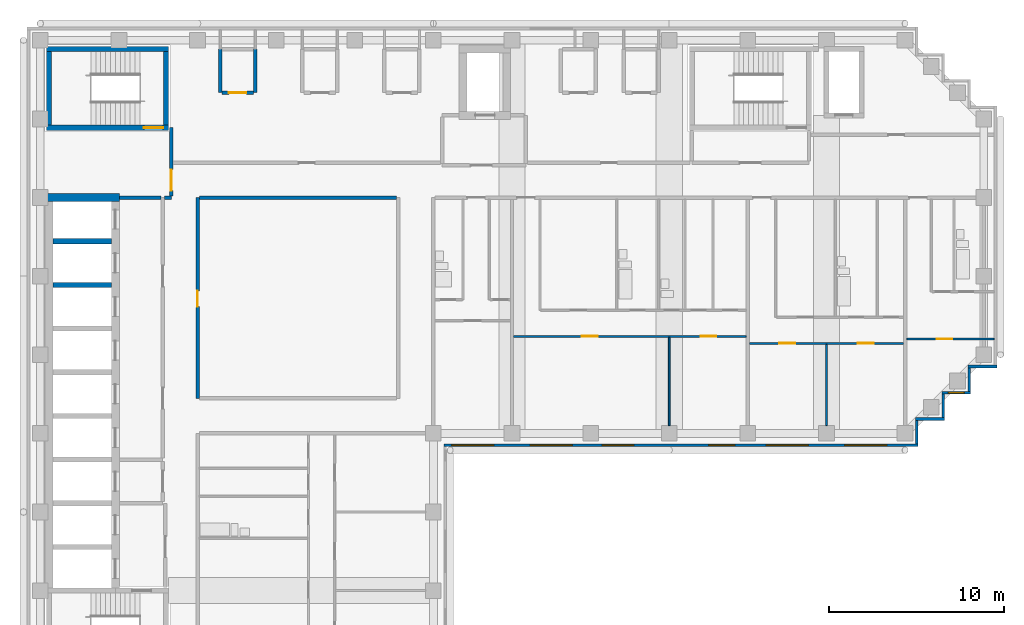
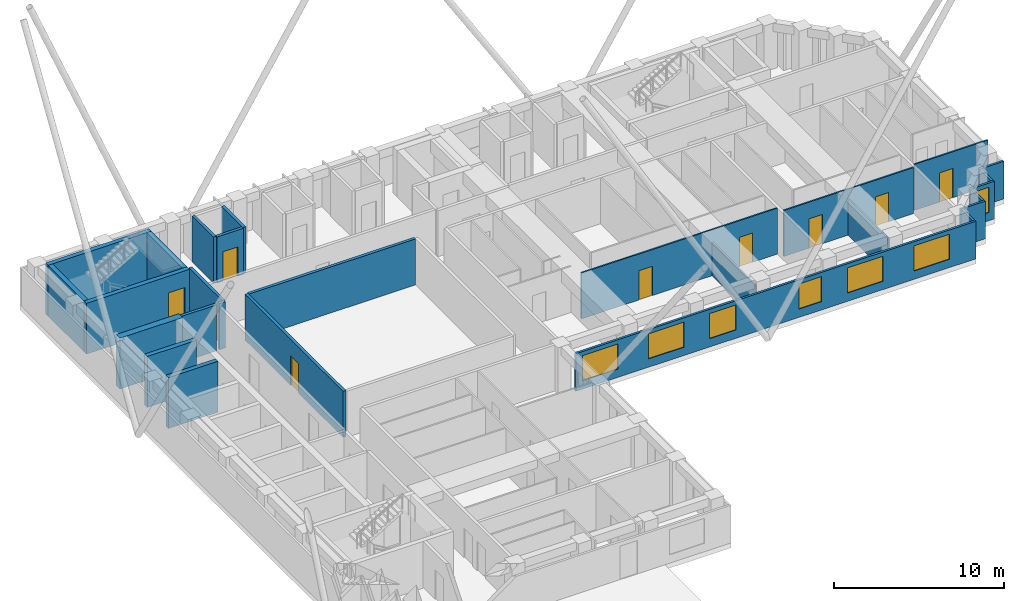
# One storey, part 4 of 9: 27 walls, 9 doors, 7 windows, 16 openings.
"""IFC4 building model written with IfcOpenShell, lengths in metres."""

from ifc_helpers import new_model, si_unit, direction, frame, frame_2d, origin, place, context, subcontext, project, spatial, rectangle, extrude, material, layer, layer_set, type_object, element, fill, save


model = new_model("IFC4")

# Units and contexts
model_context = context("Model", 3, precision=1e-05, world=origin(), true_north=direction((0.0, 1.0)))
body_context = subcontext(model_context, "Body", "Model", "MODEL_VIEW")
ifc_project = project(units=[si_unit("LENGTHUNIT", "METRE"), si_unit("AREAUNIT", "SQUARE_METRE"), si_unit("VOLUMEUNIT", "CUBIC_METRE"), si_unit("PLANEANGLEUNIT", "RADIAN"), si_unit("MASSUNIT", "GRAM", prefix="KILO")], contexts=[model_context])

# Site, building, storey
site_placement = place(None, origin())
site = spatial("IfcSite", under=ifc_project, at=site_placement, CompositionType="ELEMENT")
building_placement = place(site_placement, origin())
building = spatial("IfcBuilding", under=site, at=building_placement, Name="Firuza Court", CompositionType="ELEMENT")
storey_placement = place(building_placement, frame((0.0, 0.0, 211.39990234375)))
storey = spatial("IfcBuildingStorey", under=building, at=storey_placement, Name="L54", CompositionType="ELEMENT", Elevation=211.39990234375)

# Wall, opening, door
ifc_material_1 = material(Name="Concrete C50/60", Category="concrete")
ifc_layer_1 = layer(ifc_material_1, 0.300048828125)
ifc_layer_set_1 = layer_set([ifc_layer_1], Name="Concrete C50/60")
wall_type_1 = type_object("IfcWallType", Name="Core wall 300 C50/60", PredefinedType="SHEAR", material=ifc_layer_set_1)
wall_1_placement = place(storey_placement, frame((0.35009765625, 53.5, -0.349853515625), z_axis=(0.0, 0.0, 1.0), x_axis=(1.0, 0.0, 0.0)))
wall_1 = element("IfcWall", 1, at=wall_1_placement, inside=storey, type_object=wall_type_1, Name="Core wall stair L54", PredefinedType="SHEAR", context=body_context, shape_type="SweptSolid", body=[
    extrude(rectangle(XDim=7.0, YDim=0.300048828125, at=frame_2d((3.5, 0.0))), origin(), (0.0, 0.0, 1.0), 3.64990234375),
])
opening_1_placement = place(wall_1_placement, frame((5.580078125, 0.0, 0.35009765625)))
opening_1 = element("IfcOpeningElement", 2, at=opening_1_placement, cuts=wall_1, Name="Opening D54012", PredefinedType="OPENING", context=body_context, shape_type="SweptSolid", body=[
    extrude(rectangle(XDim=1.10009765625, YDim=2.10009765625, at=frame_2d((0.550048828125, 1.050048828125))), frame((0.0, 0.162109375, 0.0), z_axis=(0.0, -1.0, 0.0), x_axis=(1.0, 0.0, 0.0)), (0.0, 0.0, 1.0), 0.323974609375),
])
ifc_material_2 = material(Name="Timber door leaf in hardwood frame", Category="wood")
door_type_1 = type_object("IfcDoorType", Name="Stair door 1100", OperationType="SINGLE_SWING_LEFT", PredefinedType="DOOR", material=ifc_material_2)
door_1_placement = place(opening_1_placement, origin())
door_1 = element("IfcDoor", 3, at=door_1_placement, inside=storey, type_object=door_type_1, Name="Stair door S3", OperationType="SINGLE_SWING_RIGHT", OverallHeight=2.10009765625, OverallWidth=1.10009765625, PredefinedType="DOOR", context=body_context, shape_type="SweptSolid", body=[
    extrude(rectangle(XDim=1.10009765625, YDim=2.10009765625, at=frame_2d((0.550048828125, 1.050048828125))), frame((0.0, 0.02490234375, 0.0), z_axis=(0.0, -1.0, 0.0), x_axis=(1.0, 0.0, 0.0)), (0.0, 0.0, 1.0), 0.050048828125),
])
fill(opening_1, door_1)

# Walls
wall_2_placement = place(storey_placement, frame((0.35009765625, 58.0, -0.349853515625), z_axis=(0.0, 0.0, 1.0), x_axis=(1.0, 0.0, 0.0)))
element("IfcWall", 4, at=wall_2_placement, inside=storey, type_object=wall_type_1, Name="Core wall stair L54", PredefinedType="SHEAR", context=body_context, shape_type="SweptSolid", body=[
    extrude(rectangle(XDim=7.0, YDim=0.300048828125, at=frame_2d((3.5, 0.0))), origin(), (0.0, 0.0, 1.0), 3.64990234375),
])
wall_3_placement = place(storey_placement, frame((0.5, 53.64990234375, -0.349853515625), z_axis=(0.0, 0.0, 1.0), x_axis=(0.0, 1.0, 0.0)))
element("IfcWall", 5, at=wall_3_placement, inside=storey, type_object=wall_type_1, Name="Core wall stair L54", PredefinedType="SHEAR", context=body_context, shape_type="SweptSolid", body=[
    extrude(rectangle(XDim=4.2001953125, YDim=0.300048828125, at=frame_2d((2.10009765625, 0.0))), origin(), (0.0, 0.0, 1.0), 3.64990234375),
])
for number, where, z_axis, x_axis, name in (
    (6, (0.72509765625, 44.5, -0.349853515625), (0.0, 0.0, 1.0), (1.0, 0.0, 0.0), "Core wall lift shaft L54"),
    (7, (0.72509765625, 47.0, -0.349853515625), (0.0, 0.0, 1.0), (1.0, 0.0, 0.0), "Core wall lift shaft L54"),
):
    element("IfcWall", number, at=place(storey_placement, frame(where, z_axis=z_axis, x_axis=x_axis)), inside=storey, type_object=wall_type_1, Name=name, PredefinedType="SHEAR", context=body_context, shape_type="SweptSolid", body=[
        extrude(rectangle(XDim=3.349853515625, YDim=0.300048828125, at=frame_2d((1.6748046875, 0.0))), origin(), (0.0, 0.0, 1.0), 3.64990234375),
    ])
wall_4_placement = place(storey_placement, frame((7.199951171875, 53.64990234375, -0.349853515625), z_axis=(0.0, 0.0, 1.0), x_axis=(0.0, 1.0, 0.0)))
element("IfcWall", 8, at=wall_4_placement, inside=storey, type_object=wall_type_1, Name="Core wall stair L54", PredefinedType="SHEAR", context=body_context, shape_type="SweptSolid", body=[
    extrude(rectangle(XDim=4.2001953125, YDim=0.300048828125, at=frame_2d((2.10009765625, 0.0))), origin(), (0.0, 0.0, 1.0), 3.64990234375),
])
ifc_layer_2 = layer(ifc_material_1, 0.449951171875)
ifc_layer_set_2 = layer_set([ifc_layer_2], Name="Concrete C50/60")
wall_type_2 = type_object("IfcWallType", Name="Core wall 450 C50/60", PredefinedType="SHEAR", material=ifc_layer_set_2)
wall_5_placement = place(storey_placement, frame((0.27490234375, 49.5, -0.349853515625), z_axis=(0.0, 0.0, 1.0), x_axis=(1.0, 0.0, 0.0)))
element("IfcWall", 9, at=wall_5_placement, inside=storey, type_object=wall_type_2, Name="Core wall lift shaft L54", PredefinedType="SHEAR", context=body_context, shape_type="SweptSolid", body=[
    extrude(rectangle(XDim=4.25, YDim=0.449951171875, at=frame_2d((2.125, 0.0))), origin(), (0.0, 0.0, 1.0), 3.64990234375),
])

# Wall, opening, door
ifc_material_3 = material(Name="Blockwork, plastered both sides", Category="masonry")
ifc_layer_3 = layer(ifc_material_3, 0.199951171875)
ifc_layer_set_3 = layer_set([ifc_layer_3], Name="Blockwork, plastered both sides")
wall_type_3 = type_object("IfcWallType", Name="Corridor wall 200", PredefinedType="PARTITIONING", material=ifc_layer_set_3)
wall_6_placement = place(storey_placement, frame((9.0, 38.0, 0.0), z_axis=(0.0, 0.0, 1.0), x_axis=(0.0, 1.0, 0.0)))
wall_6 = element("IfcWall", 10, at=wall_6_placement, inside=storey, type_object=wall_type_3, Name="Corridor wall 200 L54", PredefinedType="PARTITIONING", context=body_context, shape_type="SweptSolid", body=[
    extrude(rectangle(XDim=11.5, YDim=0.199951171875, at=frame_2d((5.75, 0.0))), origin(), (0.0, 0.0, 1.0), 3.300048828125),
])
opening_2_placement = place(wall_6_placement, frame((5.25, 0.0, 0.0)))
opening_2 = element("IfcOpeningElement", 11, at=opening_2_placement, cuts=wall_6, Name="Opening D54026", PredefinedType="OPENING", context=body_context, shape_type="SweptSolid", body=[
    extrude(rectangle(XDim=0.89990234375, YDim=2.10009765625, at=frame_2d((0.449951171875, 1.050048828125))), frame((0.0, 0.11181640625, 0.0), z_axis=(0.0, -1.0, 0.0), x_axis=(1.0, 0.0, 0.0)), (0.0, 0.0, 1.0), 0.223876953125),
])
ifc_material_4 = material(Name="Timber door leaf in hardwood frame", Category="wood")
door_type_2 = type_object("IfcDoorType", Name="Room door 900 EI 30", OperationType="SINGLE_SWING_LEFT", PredefinedType="DOOR", material=ifc_material_4)
door_2_placement = place(opening_2_placement, frame((0.89990234375, 0.0, 0.0), z_axis=(0.0, 0.0, 1.0), x_axis=(-1.0, 0.0, 0.0)))
door_2 = element("IfcDoor", 12, at=door_2_placement, inside=storey, type_object=door_type_2, Name="Library door", OperationType="SINGLE_SWING_RIGHT", OverallHeight=2.10009765625, OverallWidth=0.89990234375, PredefinedType="DOOR", context=body_context, shape_type="SweptSolid", body=[
    extrude(rectangle(XDim=0.89990234375, YDim=2.10009765625, at=frame_2d((0.449951171875, 1.050048828125))), frame((0.0, 0.02490234375, 0.0), z_axis=(0.0, -1.0, 0.0), x_axis=(1.0, 0.0, 0.0)), (0.0, 0.0, 1.0), 0.050048828125),
])
fill(opening_2, door_2)

# Walls
wall_7_placement = place(storey_placement, frame((9.10009765625, 49.5, 0.0), z_axis=(0.0, 0.0, 1.0), x_axis=(1.0, 0.0, 0.0)))
element("IfcWall", 13, at=wall_7_placement, inside=storey, type_object=wall_type_3, Name="Corridor wall 200 L54", PredefinedType="PARTITIONING", context=body_context, shape_type="SweptSolid", body=[
    extrude(rectangle(XDim=11.2998046875, YDim=0.199951171875, at=frame_2d((5.64990234375, 0.0))), origin(), (0.0, 0.0, 1.0), 3.300048828125),
])
ifc_material_5 = material(Name="Timber stud partition, plasterboard both sides", Category="wood")
ifc_layer_4 = layer(ifc_material_5, 0.10009765625)
ifc_layer_set_4 = layer_set([ifc_layer_4], Name="Timber stud partition, plasterboard both sides")
wall_type_4 = type_object("IfcWallType", Name="Partition wall 100", PredefinedType="PARTITIONING", material=ifc_layer_set_4)
wall_8_placement = place(storey_placement, frame((36.0, 36.449951171875, 0.0), z_axis=(0.0, 0.0, 1.0), x_axis=(0.0, 1.0, 0.0)))
element("IfcWall", 14, at=wall_8_placement, inside=storey, type_object=wall_type_4, Name="Partition wall 100 L54", PredefinedType="PARTITIONING", context=body_context, shape_type="SweptSolid", body=[
    extrude(rectangle(XDim=5.050048828125, YDim=0.10009765625, at=frame_2d((2.52490234375, 0.0))), origin(), (0.0, 0.0, 1.0), 2.400146484375),
])
wall_9_placement = place(storey_placement, frame((45.0, 36.449951171875, 0.0), z_axis=(0.0, 0.0, 1.0), x_axis=(0.0, 1.0, 0.0)))
element("IfcWall", 15, at=wall_9_placement, inside=storey, type_object=wall_type_4, Name="Partition wall 100 L54", PredefinedType="PARTITIONING", context=body_context, shape_type="SweptSolid", body=[
    extrude(rectangle(XDim=4.650146484375, YDim=0.10009765625, at=frame_2d((2.3251953125, 0.0))), origin(), (0.0, 0.0, 1.0), 2.60009765625),
])

# Wall, openings, doors
wall_10_placement = place(storey_placement, frame((40.60009765625, 41.14990234375, 0.0), z_axis=(0.0, 0.0, 1.0), x_axis=(1.0, 0.0, 0.0)))
wall_10 = element("IfcWall", 16, at=wall_10_placement, inside=storey, type_object=wall_type_4, Name="Partition wall 100 L54", PredefinedType="PARTITIONING", context=body_context, shape_type="SweptSolid", body=[
    extrude(rectangle(XDim=8.7998046875, YDim=0.10009765625, at=frame_2d((4.39990234375, 0.0))), origin(), (0.0, 0.0, 1.0), 3.300048828125),
])
opening_3_placement = place(wall_10_placement, frame((1.699951171875, 0.0, 0.0)))
opening_3 = element("IfcOpeningElement", 17, at=opening_3_placement, cuts=wall_10, Name="Opening D54027", PredefinedType="OPENING", context=body_context, shape_type="SweptSolid", body=[
    extrude(rectangle(XDim=0.89990234375, YDim=2.10009765625, at=frame_2d((0.449951171875, 1.050048828125))), frame((0.0, 0.06201171875, 0.0), z_axis=(0.0, -1.0, 0.0), x_axis=(1.0, 0.0, 0.0)), (0.0, 0.0, 1.0), 0.1240234375),
])
opening_4_placement = place(wall_10_placement, frame((6.199951171875, 0.0, 0.0)))
opening_4 = element("IfcOpeningElement", 18, at=opening_4_placement, cuts=wall_10, Name="Opening D54028", PredefinedType="OPENING", context=body_context, shape_type="SweptSolid", body=[
    extrude(rectangle(XDim=0.89990234375, YDim=2.10009765625, at=frame_2d((0.449951171875, 1.050048828125))), frame((0.0, 0.06201171875, 0.0), z_axis=(0.0, -1.0, 0.0), x_axis=(1.0, 0.0, 0.0)), (0.0, 0.0, 1.0), 0.1240234375),
])
ifc_material_6 = material(Name="Timber door leaf in hardwood frame", Category="wood")
door_type_3 = type_object("IfcDoorType", Name="Room door 900", OperationType="SINGLE_SWING_LEFT", PredefinedType="DOOR", material=ifc_material_6)
door_3_placement = place(opening_3_placement, frame((0.89990234375, 0.0, 0.0), z_axis=(0.0, 0.0, 1.0), x_axis=(-1.0, 0.0, 0.0)))
door_3 = element("IfcDoor", 19, at=door_3_placement, inside=storey, type_object=door_type_3, Name="Living room door", OperationType="SINGLE_SWING_RIGHT", OverallHeight=2.10009765625, OverallWidth=0.89990234375, PredefinedType="DOOR", context=body_context, shape_type="SweptSolid", body=[
    extrude(rectangle(XDim=0.89990234375, YDim=2.10009765625, at=frame_2d((0.449951171875, 1.050048828125))), frame((0.0, 0.02490234375, 0.0), z_axis=(0.0, -1.0, 0.0), x_axis=(1.0, 0.0, 0.0)), (0.0, 0.0, 1.0), 0.050048828125),
])
fill(opening_3, door_3)
door_4_placement = place(opening_4_placement, frame((0.89990234375, 0.0, 0.0), z_axis=(0.0, 0.0, 1.0), x_axis=(-1.0, 0.0, 0.0)))
door_4 = element("IfcDoor", 20, at=door_4_placement, inside=storey, type_object=door_type_3, Name="Bedroom door", OperationType="SINGLE_SWING_RIGHT", OverallHeight=2.10009765625, OverallWidth=0.89990234375, PredefinedType="DOOR", context=body_context, shape_type="SweptSolid", body=[
    extrude(rectangle(XDim=0.89990234375, YDim=2.10009765625, at=frame_2d((0.449951171875, 1.050048828125))), frame((0.0, 0.02490234375, 0.0), z_axis=(0.0, -1.0, 0.0), x_axis=(1.0, 0.0, 0.0)), (0.0, 0.0, 1.0), 0.050048828125),
])
fill(opening_4, door_4)

# Wall, opening, door
wall_11_placement = place(storey_placement, frame((49.60009765625, 41.39990234375, 0.0), z_axis=(0.0, 0.0, 1.0), x_axis=(1.0, 0.0, 0.0)))
wall_11 = element("IfcWall", 21, at=wall_11_placement, inside=storey, type_object=wall_type_4, Name="Partition wall 100 L54", PredefinedType="PARTITIONING", context=body_context, shape_type="SweptSolid", body=[
    extrude(rectangle(XDim=5.0, YDim=0.10009765625, at=frame_2d((2.5, 0.0))), origin(), (0.0, 0.0, 1.0), 3.300048828125),
])
opening_5_placement = place(wall_11_placement, frame((1.699951171875, 0.0, 0.0)))
opening_5 = element("IfcOpeningElement", 22, at=opening_5_placement, cuts=wall_11, Name="Opening D54029", PredefinedType="OPENING", context=body_context, shape_type="SweptSolid", body=[
    extrude(rectangle(XDim=0.89990234375, YDim=2.10009765625, at=frame_2d((0.449951171875, 1.050048828125))), frame((0.0, 0.06201171875, 0.0), z_axis=(0.0, -1.0, 0.0), x_axis=(1.0, 0.0, 0.0)), (0.0, 0.0, 1.0), 0.1240234375),
])
door_5_placement = place(opening_5_placement, frame((0.89990234375, 0.0, 0.0), z_axis=(0.0, 0.0, 1.0), x_axis=(-1.0, 0.0, 0.0)))
door_5 = element("IfcDoor", 23, at=door_5_placement, inside=storey, type_object=door_type_3, Name="Studio room door", OperationType="SINGLE_SWING_RIGHT", OverallHeight=2.10009765625, OverallWidth=0.89990234375, PredefinedType="DOOR", context=body_context, shape_type="SweptSolid", body=[
    extrude(rectangle(XDim=0.89990234375, YDim=2.10009765625, at=frame_2d((0.449951171875, 1.050048828125))), frame((0.0, 0.02490234375, 0.0), z_axis=(0.0, -1.0, 0.0), x_axis=(1.0, 0.0, 0.0)), (0.0, 0.0, 1.0), 0.050048828125),
])
fill(opening_5, door_5)

# Wall, openings, doors
wall_12_placement = place(storey_placement, frame((27.10009765625, 41.550048828125, 0.0), z_axis=(0.0, 0.0, 1.0), x_axis=(1.0, 0.0, 0.0)))
wall_12 = element("IfcWall", 24, at=wall_12_placement, inside=storey, type_object=wall_type_4, Name="Partition wall 100 L54", PredefinedType="PARTITIONING", context=body_context, shape_type="SweptSolid", body=[
    extrude(rectangle(XDim=13.2998046875, YDim=0.10009765625, at=frame_2d((6.64990234375, 0.0))), origin(), (0.0, 0.0, 1.0), 3.300048828125),
])
opening_6_placement = place(wall_12_placement, frame((3.89990234375, 0.0, 0.0)))
opening_6 = element("IfcOpeningElement", 25, at=opening_6_placement, cuts=wall_12, Name="Opening D54030", PredefinedType="OPENING", context=body_context, shape_type="SweptSolid", body=[
    extrude(rectangle(XDim=0.89990234375, YDim=2.10009765625, at=frame_2d((0.449951171875, 1.050048828125))), frame((0.0, 0.06201171875, 0.0), z_axis=(0.0, -1.0, 0.0), x_axis=(1.0, 0.0, 0.0)), (0.0, 0.0, 1.0), 0.1240234375),
])
opening_7_placement = place(wall_12_placement, frame((10.699951171875, 0.0, 0.0)))
opening_7 = element("IfcOpeningElement", 26, at=opening_7_placement, cuts=wall_12, Name="Opening D54031", PredefinedType="OPENING", context=body_context, shape_type="SweptSolid", body=[
    extrude(rectangle(XDim=0.89990234375, YDim=2.10009765625, at=frame_2d((0.449951171875, 1.050048828125))), frame((0.0, 0.06201171875, 0.0), z_axis=(0.0, -1.0, 0.0), x_axis=(1.0, 0.0, 0.0)), (0.0, 0.0, 1.0), 0.1240234375),
])
door_6_placement = place(opening_6_placement, frame((0.89990234375, 0.0, 0.0), z_axis=(0.0, 0.0, 1.0), x_axis=(-1.0, 0.0, 0.0)))
door_6 = element("IfcDoor", 27, at=door_6_placement, inside=storey, type_object=door_type_3, Name="Living room door", OperationType="SINGLE_SWING_RIGHT", OverallHeight=2.10009765625, OverallWidth=0.89990234375, PredefinedType="DOOR", context=body_context, shape_type="SweptSolid", body=[
    extrude(rectangle(XDim=0.89990234375, YDim=2.10009765625, at=frame_2d((0.449951171875, 1.050048828125))), frame((0.0, 0.02490234375, 0.0), z_axis=(0.0, -1.0, 0.0), x_axis=(1.0, 0.0, 0.0)), (0.0, 0.0, 1.0), 0.050048828125),
])
fill(opening_6, door_6)
door_7_placement = place(opening_7_placement, frame((0.89990234375, 0.0, 0.0), z_axis=(0.0, 0.0, 1.0), x_axis=(-1.0, 0.0, 0.0)))
door_7 = element("IfcDoor", 28, at=door_7_placement, inside=storey, type_object=door_type_3, Name="Bedroom door", OperationType="SINGLE_SWING_RIGHT", OverallHeight=2.10009765625, OverallWidth=0.89990234375, PredefinedType="DOOR", context=body_context, shape_type="SweptSolid", body=[
    extrude(rectangle(XDim=0.89990234375, YDim=2.10009765625, at=frame_2d((0.449951171875, 1.050048828125))), frame((0.0, 0.02490234375, 0.0), z_axis=(0.0, -1.0, 0.0), x_axis=(1.0, 0.0, 0.0)), (0.0, 0.0, 1.0), 0.050048828125),
])
fill(opening_7, door_7)

# Wall
ifc_material_7 = material(Name="Blockwork, fire-rated", Category="masonry")
ifc_layer_5 = layer(ifc_material_7, 0.199951171875)
ifc_layer_set_5 = layer_set([ifc_layer_5], Name="Blockwork, fire-rated")
wall_type_5 = type_object("IfcWallType", Name="Plant room wall 200", PredefinedType="PARTITIONING", material=ifc_layer_set_5)
wall_13_placement = place(storey_placement, frame((10.300048828125, 55.5, 0.0), z_axis=(0.0, 0.0, 1.0), x_axis=(0.0, 1.0, 0.0)))
element("IfcWall", 29, at=wall_13_placement, inside=storey, type_object=wall_type_5, Name="Plant room wall 200 L54", PredefinedType="PARTITIONING", context=body_context, shape_type="SweptSolid", body=[
    extrude(rectangle(XDim=2.5, YDim=0.199951171875, at=frame_2d((1.25, 0.0))), origin(), (0.0, 0.0, 1.0), 3.300048828125),
])

# Wall, opening, door
wall_14_placement = place(storey_placement, frame((10.39990234375, 55.5, 0.0), z_axis=(0.0, 0.0, 1.0), x_axis=(1.0, 0.0, 0.0)))
wall_14 = element("IfcWall", 30, at=wall_14_placement, inside=storey, type_object=wall_type_5, Name="Plant room wall 200 L54", PredefinedType="PARTITIONING", context=body_context, shape_type="SweptSolid", body=[
    extrude(rectangle(XDim=1.800048828125, YDim=0.199951171875, at=frame_2d((0.89990234375, 0.0))), origin(), (0.0, 0.0, 1.0), 3.300048828125),
])
opening_8_placement = place(wall_14_placement, frame((0.39990234375, 0.0, 0.0)))
opening_8 = element("IfcOpeningElement", 31, at=opening_8_placement, cuts=wall_14, Name="Opening D54052", PredefinedType="OPENING", context=body_context, shape_type="SweptSolid", body=[
    extrude(rectangle(XDim=1.0, YDim=2.10009765625, at=frame_2d((0.5, 1.050048828125))), frame((0.0, 0.11181640625, 0.0), z_axis=(0.0, -1.0, 0.0), x_axis=(1.0, 0.0, 0.0)), (0.0, 0.0, 1.0), 0.223876953125),
])
ifc_material_8 = material(Name="Timber door leaf in hardwood frame", Category="wood")
door_type_4 = type_object("IfcDoorType", Name="Riser door 1000", OperationType="SINGLE_SWING_LEFT", PredefinedType="DOOR", material=ifc_material_8)
door_8_placement = place(opening_8_placement, origin())
door_8 = element("IfcDoor", 32, at=door_8_placement, inside=storey, type_object=door_type_4, Name="Comms riser door", OperationType="SINGLE_SWING_LEFT", OverallHeight=2.10009765625, OverallWidth=1.0, PredefinedType="DOOR", context=body_context, shape_type="SweptSolid", body=[
    extrude(rectangle(XDim=1.0, YDim=2.10009765625, at=frame_2d((0.5, 1.050048828125))), frame((0.0, 0.02490234375, 0.0), z_axis=(0.0, -1.0, 0.0), x_axis=(1.0, 0.0, 0.0)), (0.0, 0.0, 1.0), 0.050048828125),
])
fill(opening_8, door_8)

# Wall
wall_15_placement = place(storey_placement, frame((12.300048828125, 55.5, 0.0), z_axis=(0.0, 0.0, 1.0), x_axis=(0.0, 1.0, 0.0)))
element("IfcWall", 33, at=wall_15_placement, inside=storey, type_object=wall_type_5, Name="Plant room wall 200 L54", PredefinedType="PARTITIONING", context=body_context, shape_type="SweptSolid", body=[
    extrude(rectangle(XDim=2.5, YDim=0.199951171875, at=frame_2d((1.25, 0.0))), origin(), (0.0, 0.0, 1.0), 3.300048828125),
])

# Wall, openings, windows
ifc_material_9 = material(Name="Ceramic tile", Category="ceramic")
ifc_layer_6 = layer(ifc_material_9, 0.02001953125)
ifc_material_10 = material(Name="Mineral wool insulation", Category="insulation")
ifc_layer_7 = layer(ifc_material_10, 0.050048828125)
ifc_material_11 = material(Name="Concrete C40/50 precast", Category="concrete")
ifc_layer_8 = layer(ifc_material_11, 0.080078125)
ifc_layer_set_6 = layer_set([ifc_layer_6, ifc_layer_7, ifc_layer_8], Name="Concrete C40/50 precast")
wall_type_6 = type_object("IfcWallType", Name="Precast cladding wall with turquoise TILE PANEL face 150", PredefinedType="STANDARD", material=ifc_layer_set_6)
wall_16_placement = place(storey_placement, frame((23.10009765625, 35.324951171875, 0.0), z_axis=(0.0, 0.0, 1.0), x_axis=(1.0, 0.0, 0.0)))
wall_16 = element("IfcWall", 34, at=wall_16_placement, inside=storey, type_object=wall_type_6, Name="Facade wall L54 S", PredefinedType="STANDARD", context=body_context, shape_type="SweptSolid", body=[
    extrude(rectangle(XDim=27.14990234375, YDim=0.14990234375, at=frame_2d((13.574951171875, 0.0))), origin(), (0.0, 0.0, 1.0), 2.7001953125),
])
opening_9_placement = place(wall_16_placement, frame((0.449951171875, 0.0, 0.60009765625)))
opening_9 = element("IfcOpeningElement", 35, at=opening_9_placement, cuts=wall_16, Name="Opening W1", PredefinedType="OPENING", context=body_context, shape_type="SweptSolid", body=[
    extrude(rectangle(XDim=2.39990234375, YDim=1.800048828125, at=frame_2d((1.199951171875, 0.89990234375))), frame((0.0, 0.0869140625, 0.0), z_axis=(0.0, -1.0, 0.0), x_axis=(1.0, 0.0, 0.0)), (0.0, 0.0, 1.0), 0.173828125),
])
opening_10_placement = place(wall_16_placement, frame((4.949951171875, 0.0, 0.60009765625)))
opening_10 = element("IfcOpeningElement", 36, at=opening_10_placement, cuts=wall_16, Name="Opening W1", PredefinedType="OPENING", context=body_context, shape_type="SweptSolid", body=[
    extrude(rectangle(XDim=2.39990234375, YDim=1.800048828125, at=frame_2d((1.199951171875, 0.89990234375))), frame((0.0, 0.0869140625, 0.0), z_axis=(0.0, -1.0, 0.0), x_axis=(1.0, 0.0, 0.0)), (0.0, 0.0, 1.0), 0.173828125),
])
opening_11_placement = place(wall_16_placement, frame((9.0615234375, 0.0, 0.60009765625)))
opening_11 = element("IfcOpeningElement", 37, at=opening_11_placement, cuts=wall_16, Name="Opening W7", PredefinedType="OPENING", context=body_context, shape_type="SweptSolid", body=[
    extrude(rectangle(XDim=1.800048828125, YDim=1.800048828125, at=frame_2d((0.89990234375, 0.89990234375))), frame((0.0, 0.0869140625, 0.0), z_axis=(0.0, -1.0, 0.0), x_axis=(1.0, 0.0, 0.0)), (0.0, 0.0, 1.0), 0.173828125),
])
opening_12_placement = place(wall_16_placement, frame((15.1572265625, 0.0, 0.60009765625)))
opening_12 = element("IfcOpeningElement", 38, at=opening_12_placement, cuts=wall_16, Name="Opening W2", PredefinedType="OPENING", context=body_context, shape_type="SweptSolid", body=[
    extrude(rectangle(XDim=1.5, YDim=1.800048828125, at=frame_2d((0.75, 0.89990234375))), frame((0.0, 0.0869140625, 0.0), z_axis=(0.0, -1.0, 0.0), x_axis=(1.0, 0.0, 0.0)), (0.0, 0.0, 1.0), 0.173828125),
])
opening_13_placement = place(wall_16_placement, frame((18.449951171875, 0.0, 0.60009765625)))
opening_13 = element("IfcOpeningElement", 39, at=opening_13_placement, cuts=wall_16, Name="Opening W1", PredefinedType="OPENING", context=body_context, shape_type="SweptSolid", body=[
    extrude(rectangle(XDim=2.39990234375, YDim=1.800048828125, at=frame_2d((1.199951171875, 0.89990234375))), frame((0.0, 0.0869140625, 0.0), z_axis=(0.0, -1.0, 0.0), x_axis=(1.0, 0.0, 0.0)), (0.0, 0.0, 1.0), 0.173828125),
])
opening_14_placement = place(wall_16_placement, frame((22.949951171875, 0.0, 0.60009765625)))
opening_14 = element("IfcOpeningElement", 40, at=opening_14_placement, cuts=wall_16, Name="Opening W1", PredefinedType="OPENING", context=body_context, shape_type="SweptSolid", body=[
    extrude(rectangle(XDim=2.39990234375, YDim=1.800048828125, at=frame_2d((1.199951171875, 0.89990234375))), frame((0.0, 0.0869140625, 0.0), z_axis=(0.0, -1.0, 0.0), x_axis=(1.0, 0.0, 0.0)), (0.0, 0.0, 1.0), 0.173828125),
])
ifc_material_12 = material(Name="Aluminium frame, triple clear glazing", Category="aluminium")
window_type_1 = type_object("IfcWindowType", Name="Window W1 2400 x 1800", PartitioningType="SINGLE_PANEL", PredefinedType="WINDOW", material=ifc_material_12)
window_1_placement = place(opening_9_placement, origin())
window_1 = element("IfcWindow", 41, at=window_1_placement, inside=storey, type_object=window_type_1, Name="Window L54", OverallHeight=1.800048828125, OverallWidth=2.39990234375, PartitioningType="SINGLE_PANEL", PredefinedType="WINDOW", context=body_context, shape_type="SweptSolid", body=[
    extrude(rectangle(XDim=2.39990234375, YDim=1.800048828125, at=frame_2d((1.199951171875, 0.89990234375))), frame((0.0, 0.030029296875, 0.0), z_axis=(0.0, -1.0, 0.0), x_axis=(1.0, 0.0, 0.0)), (0.0, 0.0, 1.0), 0.06005859375),
])
fill(opening_9, window_1)
window_2_placement = place(opening_10_placement, origin())
window_2 = element("IfcWindow", 42, at=window_2_placement, inside=storey, type_object=window_type_1, Name="Window L54", OverallHeight=1.800048828125, OverallWidth=2.39990234375, PartitioningType="SINGLE_PANEL", PredefinedType="WINDOW", context=body_context, shape_type="SweptSolid", body=[
    extrude(rectangle(XDim=2.39990234375, YDim=1.800048828125, at=frame_2d((1.199951171875, 0.89990234375))), frame((0.0, 0.030029296875, 0.0), z_axis=(0.0, -1.0, 0.0), x_axis=(1.0, 0.0, 0.0)), (0.0, 0.0, 1.0), 0.06005859375),
])
fill(opening_10, window_2)
window_3_placement = place(opening_13_placement, origin())
window_3 = element("IfcWindow", 43, at=window_3_placement, inside=storey, type_object=window_type_1, Name="Window L54", OverallHeight=1.800048828125, OverallWidth=2.39990234375, PartitioningType="SINGLE_PANEL", PredefinedType="WINDOW", context=body_context, shape_type="SweptSolid", body=[
    extrude(rectangle(XDim=2.39990234375, YDim=1.800048828125, at=frame_2d((1.199951171875, 0.89990234375))), frame((0.0, 0.030029296875, 0.0), z_axis=(0.0, -1.0, 0.0), x_axis=(1.0, 0.0, 0.0)), (0.0, 0.0, 1.0), 0.06005859375),
])
fill(opening_13, window_3)
window_4_placement = place(opening_14_placement, origin())
window_4 = element("IfcWindow", 44, at=window_4_placement, inside=storey, type_object=window_type_1, Name="Window L54", OverallHeight=1.800048828125, OverallWidth=2.39990234375, PartitioningType="SINGLE_PANEL", PredefinedType="WINDOW", context=body_context, shape_type="SweptSolid", body=[
    extrude(rectangle(XDim=2.39990234375, YDim=1.800048828125, at=frame_2d((1.199951171875, 0.89990234375))), frame((0.0, 0.030029296875, 0.0), z_axis=(0.0, -1.0, 0.0), x_axis=(1.0, 0.0, 0.0)), (0.0, 0.0, 1.0), 0.06005859375),
])
fill(opening_14, window_4)
ifc_material_13 = material(Name="Aluminium frame, triple clear glazing", Category="aluminium")
window_type_2 = type_object("IfcWindowType", Name="Window W2 1500 x 1800", PartitioningType="SINGLE_PANEL", PredefinedType="WINDOW", material=ifc_material_13)
window_5_placement = place(opening_12_placement, origin())
window_5 = element("IfcWindow", 45, at=window_5_placement, inside=storey, type_object=window_type_2, Name="Window L54", OverallHeight=1.800048828125, OverallWidth=1.5, PartitioningType="SINGLE_PANEL", PredefinedType="WINDOW", context=body_context, shape_type="SweptSolid", body=[
    extrude(rectangle(XDim=1.5, YDim=1.800048828125, at=frame_2d((0.75, 0.89990234375))), frame((0.0, 0.030029296875, 0.0), z_axis=(0.0, -1.0, 0.0), x_axis=(1.0, 0.0, 0.0)), (0.0, 0.0, 1.0), 0.06005859375),
])
fill(opening_12, window_5)
ifc_material_14 = material(Name="Aluminium frame, triple clear glazing", Category="aluminium")
window_type_3 = type_object("IfcWindowType", Name="Window W7 1800 x 1800", PartitioningType="SINGLE_PANEL", PredefinedType="WINDOW", material=ifc_material_14)
window_6_placement = place(opening_11_placement, origin())
window_6 = element("IfcWindow", 46, at=window_6_placement, inside=storey, type_object=window_type_3, Name="Window L54", OverallHeight=1.800048828125, OverallWidth=1.800048828125, PartitioningType="SINGLE_PANEL", PredefinedType="WINDOW", context=body_context, shape_type="SweptSolid", body=[
    extrude(rectangle(XDim=1.800048828125, YDim=1.800048828125, at=frame_2d((0.89990234375, 0.89990234375))), frame((0.0, 0.030029296875, 0.0), z_axis=(0.0, -1.0, 0.0), x_axis=(1.0, 0.0, 0.0)), (0.0, 0.0, 1.0), 0.06005859375),
])
fill(opening_11, window_6)

# Walls
wall_17_placement = place(storey_placement, frame((50.175048828125, 35.39990234375, 0.0), z_axis=(0.0, 0.0, 1.0), x_axis=(0.0, 1.0, 0.0)))
element("IfcWall", 47, at=wall_17_placement, inside=storey, type_object=wall_type_6, Name="Facade wall L54 E", PredefinedType="STANDARD", context=body_context, shape_type="SweptSolid", body=[
    extrude(rectangle(XDim=1.35009765625, YDim=0.14990234375, at=frame_2d((0.675048828125, 0.0))), origin(), (0.0, 0.0, 1.0), 2.7001953125),
])
wall_18_placement = place(storey_placement, frame((50.10009765625, 36.824951171875, 0.0), z_axis=(0.0, 0.0, 1.0), x_axis=(1.0, 0.0, 0.0)))
element("IfcWall", 48, at=wall_18_placement, inside=storey, type_object=wall_type_6, Name="Facade wall L54 S", PredefinedType="STANDARD", context=body_context, shape_type="SweptSolid", body=[
    extrude(rectangle(XDim=1.64990234375, YDim=0.14990234375, at=frame_2d((0.824951171875, 0.0))), origin(), (0.0, 0.0, 1.0), 2.7001953125),
])
wall_19_placement = place(storey_placement, frame((51.675048828125, 36.89990234375, 0.0), z_axis=(0.0, 0.0, 1.0), x_axis=(0.0, 1.0, 0.0)))
element("IfcWall", 49, at=wall_19_placement, inside=storey, type_object=wall_type_6, Name="Facade wall L54 E", PredefinedType="STANDARD", context=body_context, shape_type="SweptSolid", body=[
    extrude(rectangle(XDim=1.35009765625, YDim=0.14990234375, at=frame_2d((0.675048828125, 0.0))), origin(), (0.0, 0.0, 1.0), 2.7001953125),
])

# Wall, opening, window
wall_20_placement = place(storey_placement, frame((51.60009765625, 38.324951171875, 0.0), z_axis=(0.0, 0.0, 1.0), x_axis=(1.0, 0.0, 0.0)))
wall_20 = element("IfcWall", 50, at=wall_20_placement, inside=storey, type_object=wall_type_6, Name="Facade wall L54 S", PredefinedType="STANDARD", context=body_context, shape_type="SweptSolid", body=[
    extrude(rectangle(XDim=1.64990234375, YDim=0.14990234375, at=frame_2d((0.824951171875, 0.0))), origin(), (0.0, 0.0, 1.0), 2.7001953125),
])
opening_15_placement = place(wall_20_placement, frame((0.375, 0.0, 0.60009765625)))
opening_15 = element("IfcOpeningElement", 51, at=opening_15_placement, cuts=wall_20, Name="Opening W3", PredefinedType="OPENING", context=body_context, shape_type="SweptSolid", body=[
    extrude(rectangle(XDim=0.89990234375, YDim=1.800048828125, at=frame_2d((0.449951171875, 0.89990234375))), frame((0.0, 0.0869140625, 0.0), z_axis=(0.0, -1.0, 0.0), x_axis=(1.0, 0.0, 0.0)), (0.0, 0.0, 1.0), 0.173828125),
])
ifc_material_15 = material(Name="Aluminium frame, triple clear glazing", Category="aluminium")
window_type_4 = type_object("IfcWindowType", Name="Window W3 900 x 1800", PartitioningType="SINGLE_PANEL", PredefinedType="WINDOW", material=ifc_material_15)
window_7_placement = place(opening_15_placement, origin())
window_7 = element("IfcWindow", 52, at=window_7_placement, inside=storey, type_object=window_type_4, Name="Window L54", OverallHeight=1.800048828125, OverallWidth=0.89990234375, PartitioningType="SINGLE_PANEL", PredefinedType="WINDOW", context=body_context, shape_type="SweptSolid", body=[
    extrude(rectangle(XDim=0.89990234375, YDim=1.800048828125, at=frame_2d((0.449951171875, 0.89990234375))), frame((0.0, 0.030029296875, 0.0), z_axis=(0.0, -1.0, 0.0), x_axis=(1.0, 0.0, 0.0)), (0.0, 0.0, 1.0), 0.06005859375),
])
fill(opening_15, window_7)

# Walls
wall_21_placement = place(storey_placement, frame((53.175048828125, 38.39990234375, 0.0), z_axis=(0.0, 0.0, 1.0), x_axis=(0.0, 1.0, 0.0)))
element("IfcWall", 53, at=wall_21_placement, inside=storey, type_object=wall_type_6, Name="Facade wall L54 E", PredefinedType="STANDARD", context=body_context, shape_type="SweptSolid", body=[
    extrude(rectangle(XDim=1.35009765625, YDim=0.14990234375, at=frame_2d((0.675048828125, 0.0))), origin(), (0.0, 0.0, 1.0), 2.7001953125),
])
wall_22_placement = place(storey_placement, frame((53.10009765625, 39.824951171875, 0.0), z_axis=(0.0, 0.0, 1.0), x_axis=(1.0, 0.0, 0.0)))
element("IfcWall", 54, at=wall_22_placement, inside=storey, type_object=wall_type_6, Name="Facade wall L54 S", PredefinedType="STANDARD", context=body_context, shape_type="SweptSolid", body=[
    extrude(rectangle(XDim=1.64990234375, YDim=0.14990234375, at=frame_2d((0.824951171875, 0.0))), origin(), (0.0, 0.0, 1.0), 2.7001953125),
])
ifc_layer_9 = layer(ifc_material_7, 0.199951171875)
ifc_layer_set_7 = layer_set([ifc_layer_9], Name="Blockwork, fire-rated")
wall_type_7 = type_object("IfcWallType", Name="Shaft wall 200", PredefinedType="PARTITIONING", material=ifc_layer_set_7)
wall_23_placement = place(storey_placement, frame((4.52490234375, 49.5, 0.0), z_axis=(0.0, 0.0, 1.0), x_axis=(1.0, 0.0, 0.0)))
element("IfcWall", 55, at=wall_23_placement, inside=storey, type_object=wall_type_7, Name="Shaft wall 200 L54", PredefinedType="PARTITIONING", context=body_context, shape_type="SweptSolid", body=[
    extrude(rectangle(XDim=2.375, YDim=0.199951171875, at=frame_2d((1.1875, 0.0))), origin(), (0.0, 0.0, 1.0), 3.300048828125),
])
wall_24_placement = place(storey_placement, frame((7.10009765625, 49.5, 0.0), z_axis=(0.0, 0.0, 1.0), x_axis=(1.0, 0.0, 0.0)))
element("IfcWall", 56, at=wall_24_placement, inside=storey, type_object=wall_type_7, Name="Shaft wall 200 L54", PredefinedType="PARTITIONING", context=body_context, shape_type="SweptSolid", body=[
    extrude(rectangle(XDim=0.39990234375, YDim=0.199951171875, at=frame_2d((0.199951171875, 0.0))), origin(), (0.0, 0.0, 1.0), 3.300048828125),
])

# Wall, opening, door
wall_25_placement = place(storey_placement, frame((7.5, 49.60009765625, 0.0), z_axis=(0.0, 0.0, 1.0), x_axis=(0.0, 1.0, 0.0)))
wall_25 = element("IfcWall", 57, at=wall_25_placement, inside=storey, type_object=wall_type_7, Name="Shaft wall 200 L54", PredefinedType="PARTITIONING", context=body_context, shape_type="SweptSolid", body=[
    extrude(rectangle(XDim=3.89990234375, YDim=0.199951171875, at=frame_2d((1.949951171875, 0.0))), origin(), (0.0, 0.0, 1.0), 3.300048828125),
])
opening_16_placement = place(wall_25_placement, frame((0.300048828125, 0.0, 0.0)))
opening_16 = element("IfcOpeningElement", 58, at=opening_16_placement, cuts=wall_25, Name="Opening D54001", PredefinedType="OPENING", context=body_context, shape_type="SweptSolid", body=[
    extrude(rectangle(XDim=1.199951171875, YDim=2.10009765625, at=frame_2d((0.60009765625, 1.050048828125))), frame((0.0, 0.11181640625, 0.0), z_axis=(0.0, -1.0, 0.0), x_axis=(1.0, 0.0, 0.0)), (0.0, 0.0, 1.0), 0.223876953125),
])
ifc_material_16 = material(Name="Timber door leaf in hardwood frame", Category="wood")
door_type_5 = type_object("IfcDoorType", Name="Lobby door 1200", OperationType="SINGLE_SWING_LEFT", PredefinedType="DOOR", material=ifc_material_16)
door_9_placement = place(opening_16_placement, origin())
door_9 = element("IfcDoor", 59, at=door_9_placement, inside=storey, type_object=door_type_5, Name="Lobby door", OperationType="SINGLE_SWING_LEFT", OverallHeight=2.10009765625, OverallWidth=1.199951171875, PredefinedType="DOOR", context=body_context, shape_type="SweptSolid", body=[
    extrude(rectangle(XDim=1.199951171875, YDim=2.10009765625, at=frame_2d((0.60009765625, 1.050048828125))), frame((0.0, 0.02490234375, 0.0), z_axis=(0.0, -1.0, 0.0), x_axis=(1.0, 0.0, 0.0)), (0.0, 0.0, 1.0), 0.050048828125),
])
fill(opening_16, door_9)

save(model, "model.ifc")
